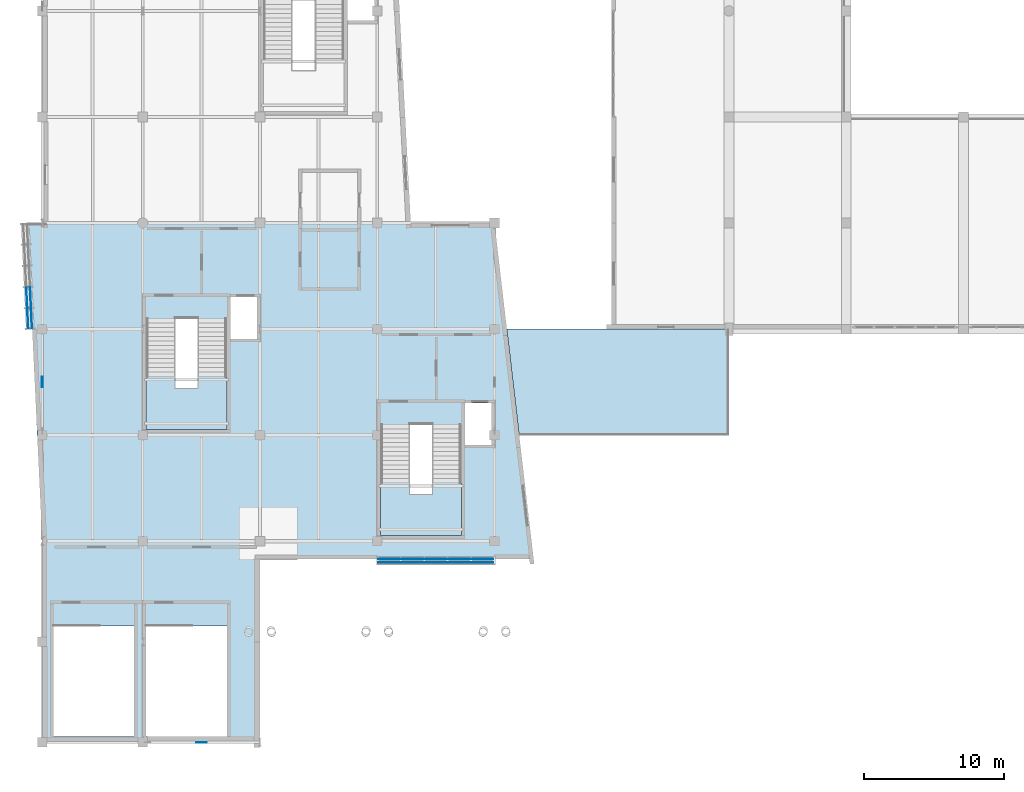
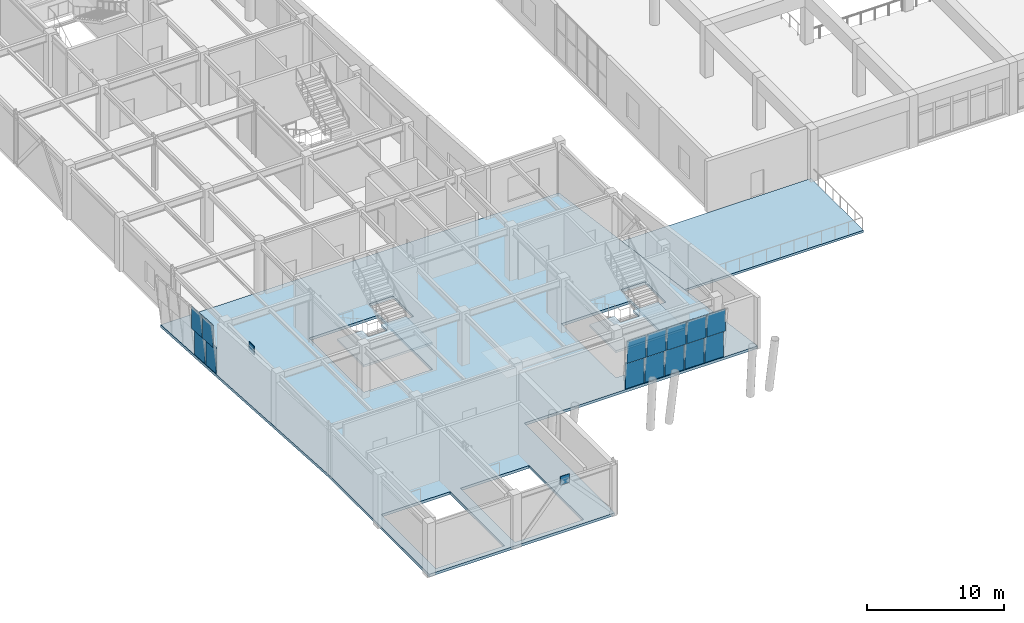
# One storey, part 50 of 72: 16 plates, 4 slabs, 4 elements without a shape of their own.
"""IFC4 building model written with IfcOpenShell, lengths in metres."""

from ifc_helpers import new_model, si_unit, direction, frame, origin, origin_2d, place, context, subcontext, project, spatial, polyline, rectangle, outline, extrude, material, layer, layer_set, type_object, element, aggregate, save


model = new_model("IFC4")

# Units and contexts
model_context = context("Model", 3, precision=1e-05, world=origin(), true_north=direction((0.0, 1.0)))
body_context = subcontext(model_context, "Body", "Model", "MODEL_VIEW")
ifc_project = project(units=[si_unit("LENGTHUNIT", "METRE"), si_unit("AREAUNIT", "SQUARE_METRE"), si_unit("VOLUMEUNIT", "CUBIC_METRE"), si_unit("PLANEANGLEUNIT", "RADIAN"), si_unit("MASSUNIT", "GRAM", prefix="KILO")], contexts=[model_context])

# Site, building, storey
site_placement = place(None, origin())
site = spatial("IfcSite", under=ifc_project, at=site_placement, CompositionType="ELEMENT")
building_placement = place(site_placement, origin())
building = spatial("IfcBuilding", under=site, at=building_placement, Name="Xicomal Pleat Aquarium", CompositionType="ELEMENT")
storey_placement = place(building_placement, frame((0.0, 0.0, 10.5)))
storey = spatial("IfcBuildingStorey", under=building, at=storey_placement, Name="L03", CompositionType="ELEMENT", Elevation=10.5)

# Curtain wall, plates
ifc_material_1 = material(Name="Bronze anodized aluminium 6063-T6", Category="aluminium")
ifc_layer_1 = layer(ifc_material_1, 0.159912109375)
ifc_layer_set_1 = layer_set([ifc_layer_1], Name="Bronze anodized aluminium 6063-T6")
curtain_wall_type_1 = type_object("IfcCurtainWallType", Name="CW-SYS-08", PredefinedType="NOTDEFINED", material=ifc_layer_set_1)
curtain_wall_1_placement = place(storey_placement, origin())
curtain_wall_1 = element("IfcCurtainWall", 1, at=curtain_wall_1_placement, inside=storey, type_object=curtain_wall_type_1, Name="L03 unitised curtain wall CW-L03-169", PredefinedType="NOTDEFINED")
ifc_material_2 = material(Name="Insulated low-E laminated glass", Category="glass")
ifc_layer_2 = layer(ifc_material_2, 0.031982421875)
ifc_layer_set_2 = layer_set([ifc_layer_2], Name="Insulated low-E laminated glass")
plate_type_1 = type_object("IfcPlateType", Name="CWP-GLZ-32", PredefinedType="CURTAIN_PANEL", material=ifc_layer_set_2)
plate_1_placement = place(storey_placement, frame((34.541259765625, 13.9404296875, 0.0751953125), z_axis=(0.0, 0.0, 1.0), x_axis=(-1.0, 0.0, 0.0)))
plate_1 = element("IfcPlate", 2, at=plate_1_placement, type_object=plate_type_1, Name="CW-08 panel 1.1", PredefinedType="CURTAIN_PANEL", context=body_context, shape_type="SweptSolid", body=[
    extrude(rectangle(XDim=1.5673828125, YDim=0.031982421875, at=origin_2d()), origin(), (0.0, 0.0, 1.0), 2.357421875),
])
plate_2_placement = place(storey_placement, frame((34.541259765625, 13.672119140625, 2.5078125), z_axis=(0.0, 0.0, 1.0), x_axis=(-1.0, 0.0, 0.0)))
plate_2 = element("IfcPlate", 3, at=plate_2_placement, type_object=plate_type_1, Name="CW-08 panel 1.2", PredefinedType="CURTAIN_PANEL", context=body_context, shape_type="SweptSolid", body=[
    extrude(rectangle(XDim=1.5673828125, YDim=0.031982421875, at=origin_2d()), origin(), (0.0, 0.0, 1.0), 1.992431640625),
])
plate_3_placement = place(storey_placement, frame((32.8798828125, 13.9404296875, 0.0751953125), z_axis=(0.0, 0.0, 1.0), x_axis=(-1.0, 0.0, 0.0)))
plate_3 = element("IfcPlate", 4, at=plate_3_placement, type_object=plate_type_1, Name="CW-08 panel 2.1", PredefinedType="CURTAIN_PANEL", context=body_context, shape_type="SweptSolid", body=[
    extrude(rectangle(XDim=1.60498046875, YDim=0.031982421875, at=origin_2d()), origin(), (0.0, 0.0, 1.0), 2.357421875),
])
plate_4_placement = place(storey_placement, frame((32.8798828125, 13.672119140625, 2.5078125), z_axis=(0.0, 0.0, 1.0), x_axis=(-1.0, 0.0, 0.0)))
plate_4 = element("IfcPlate", 5, at=plate_4_placement, type_object=plate_type_1, Name="CW-08 panel 2.2", PredefinedType="CURTAIN_PANEL", context=body_context, shape_type="SweptSolid", body=[
    extrude(rectangle(XDim=1.60498046875, YDim=0.031982421875, at=origin_2d()), origin(), (0.0, 0.0, 1.0), 1.992431640625),
])
plate_5_placement = place(storey_placement, frame((31.199951171875, 13.9404296875, 0.0751953125), z_axis=(0.0, 0.0, 1.0), x_axis=(-1.0, 0.0, 0.0)))
plate_5 = element("IfcPlate", 6, at=plate_5_placement, type_object=plate_type_1, Name="CW-08 panel 3.1", PredefinedType="CURTAIN_PANEL", context=body_context, shape_type="SweptSolid", body=[
    extrude(rectangle(XDim=1.60498046875, YDim=0.031982421875, at=origin_2d()), origin(), (0.0, 0.0, 1.0), 2.357421875),
])
plate_6_placement = place(storey_placement, frame((31.199951171875, 13.672119140625, 2.5078125), z_axis=(0.0, 0.0, 1.0), x_axis=(-1.0, 0.0, 0.0)))
plate_6 = element("IfcPlate", 7, at=plate_6_placement, type_object=plate_type_1, Name="CW-08 panel 3.2", PredefinedType="CURTAIN_PANEL", context=body_context, shape_type="SweptSolid", body=[
    extrude(rectangle(XDim=1.60498046875, YDim=0.031982421875, at=origin_2d()), origin(), (0.0, 0.0, 1.0), 1.992431640625),
])
plate_7_placement = place(storey_placement, frame((29.52001953125, 13.9404296875, 0.0751953125), z_axis=(0.0, 0.0, 1.0), x_axis=(-1.0, 0.0, 0.0)))
plate_7 = element("IfcPlate", 8, at=plate_7_placement, type_object=plate_type_1, Name="CW-08 panel 4.1", PredefinedType="CURTAIN_PANEL", context=body_context, shape_type="SweptSolid", body=[
    extrude(rectangle(XDim=1.60498046875, YDim=0.031982421875, at=origin_2d()), origin(), (0.0, 0.0, 1.0), 2.357421875),
])
plate_8_placement = place(storey_placement, frame((29.52001953125, 13.672119140625, 2.5078125), z_axis=(0.0, 0.0, 1.0), x_axis=(-1.0, 0.0, 0.0)))
plate_8 = element("IfcPlate", 9, at=plate_8_placement, type_object=plate_type_1, Name="CW-08 panel 4.2", PredefinedType="CURTAIN_PANEL", context=body_context, shape_type="SweptSolid", body=[
    extrude(rectangle(XDim=1.60498046875, YDim=0.031982421875, at=origin_2d()), origin(), (0.0, 0.0, 1.0), 1.992431640625),
])
plate_9_placement = place(storey_placement, frame((27.85888671875, 13.9404296875, 0.0751953125), z_axis=(0.0, 0.0, 1.0), x_axis=(-1.0, 0.0, 0.0)))
plate_9 = element("IfcPlate", 10, at=plate_9_placement, type_object=plate_type_1, Name="CW-08 panel 5.1", PredefinedType="CURTAIN_PANEL", context=body_context, shape_type="SweptSolid", body=[
    extrude(rectangle(XDim=1.5673828125, YDim=0.031982421875, at=origin_2d()), origin(), (0.0, 0.0, 1.0), 2.357421875),
])
plate_10_placement = place(storey_placement, frame((27.85888671875, 13.672119140625, 2.5078125), z_axis=(0.0, 0.0, 1.0), x_axis=(-1.0, 0.0, 0.0)))
plate_10 = element("IfcPlate", 11, at=plate_10_placement, type_object=plate_type_1, Name="CW-08 panel 5.2", PredefinedType="CURTAIN_PANEL", context=body_context, shape_type="SweptSolid", body=[
    extrude(rectangle(XDim=1.5673828125, YDim=0.031982421875, at=origin_2d()), origin(), (0.0, 0.0, 1.0), 1.992431640625),
])
aggregate(curtain_wall_1, [plate_1, plate_2, plate_3, plate_4, plate_5, plate_6, plate_7, plate_8, plate_9, plate_10])

ifc_material_3 = material(Name="Bronze anodized aluminium 6063-T6", Category="aluminium")
ifc_layer_3 = layer(ifc_material_3, 0.159912109375)
ifc_layer_set_3 = layer_set([ifc_layer_3], Name="Bronze anodized aluminium 6063-T6")
curtain_wall_type_2 = type_object("IfcCurtainWallType", Name="CW-SYS-03", PredefinedType="NOTDEFINED", material=ifc_layer_set_3)
curtain_wall_2_placement = place(storey_placement, origin())
curtain_wall_2 = element("IfcCurtainWall", 12, at=curtain_wall_2_placement, inside=storey, type_object=curtain_wall_type_2, Name="L03 unitised curtain wall CW-L03-170", PredefinedType="NOTDEFINED")
ifc_material_4 = material(Name="Insulated low-E laminated glass", Category="glass")
ifc_layer_4 = layer(ifc_material_4, 0.035888671875)
ifc_layer_set_4 = layer_set([ifc_layer_4], Name="Insulated low-E laminated glass")
plate_type_2 = type_object("IfcPlateType", Name="CWP-GLZ-36", PredefinedType="CURTAIN_PANEL", material=ifc_layer_set_4)
plate_11_placement = place(storey_placement, frame((2.2333984375, 31.18115234375, 0.0849609375), z_axis=(0.0, 0.0, 1.0), x_axis=(-0.047315368449, 0.998880000755, 0.0)))
plate_11 = element("IfcPlate", 13, at=plate_11_placement, type_object=plate_type_2, Name="CW-03 panel 1.1", PredefinedType="CURTAIN_PANEL", context=body_context, shape_type="SweptSolid", body=[
    extrude(rectangle(XDim=1.394287109375, YDim=0.035888671875, at=origin_2d()), origin(), (0.0, 0.0, 1.0), 2.342529296875),
])
plate_12_placement = place(storey_placement, frame((1.966064453125, 31.16845703125, 2.512451171875), z_axis=(0.0, 0.0, 1.0), x_axis=(-0.047315368449, 0.998880000755, 0.0)))
plate_12 = element("IfcPlate", 14, at=plate_12_placement, type_object=plate_type_2, Name="CW-03 panel 1.2", PredefinedType="CURTAIN_PANEL", context=body_context, shape_type="SweptSolid", body=[
    extrude(rectangle(XDim=1.394287109375, YDim=0.035888671875, at=origin_2d()), origin(), (0.0, 0.0, 1.0), 1.9775390625),
])
plate_13_placement = place(storey_placement, frame((2.162353515625, 32.679931640625, 0.0849609375), z_axis=(0.0, 0.0, 1.0), x_axis=(-0.047315368449, 0.998880000755, 0.0)))
plate_13 = element("IfcPlate", 15, at=plate_13_placement, type_object=plate_type_2, Name="CW-03 panel 2.1", PredefinedType="CURTAIN_PANEL", context=body_context, shape_type="SweptSolid", body=[
    extrude(rectangle(XDim=1.436767578125, YDim=0.035888671875, at=origin_2d()), origin(), (0.0, 0.0, 1.0), 2.342529296875),
])
plate_14_placement = place(storey_placement, frame((1.89501953125, 32.667236328125, 2.512451171875), z_axis=(0.0, 0.0, 1.0), x_axis=(-0.047315368449, 0.998880000755, 0.0)))
plate_14 = element("IfcPlate", 16, at=plate_14_placement, type_object=plate_type_2, Name="CW-03 panel 2.2", PredefinedType="CURTAIN_PANEL", context=body_context, shape_type="SweptSolid", body=[
    extrude(rectangle(XDim=1.436767578125, YDim=0.035888671875, at=origin_2d()), origin(), (0.0, 0.0, 1.0), 1.9775390625),
])
aggregate(curtain_wall_2, [plate_11, plate_12, plate_13, plate_14])

# Plates
ifc_material_5 = material(Name="Structural steel A992 Gr 50", Category="steel")
ifc_layer_5 = layer(ifc_material_5, 0.044921875)
ifc_layer_set_5 = layer_set([ifc_layer_5], Name="Structural steel A992 Gr 50")
plate_type_3 = type_object("IfcPlateType", Name="PLT-GUS-45", PredefinedType="USERDEFINED", material=ifc_layer_set_5)
for number, where, z_axis, x_axis, name in (
    (17, (3.0, 26.60009765625, 4.074951171875), (0.0, 0.0, 1.0), (0.0, 1.0, 0.0), "L03 chevron gusset node plate 4"),
    (18, (14.39990234375, 0.800048828125, 4.074951171875), (0.0, 0.0, 1.0), (1.0, 0.0, 0.0), "L03 chevron gusset node plate 34"),
):
    element("IfcPlate", number, at=place(storey_placement, frame(where, z_axis=z_axis, x_axis=x_axis)), inside=storey, type_object=plate_type_3, Name=name, ObjectType="GUSSET PLATE", PredefinedType="USERDEFINED", context=body_context, shape_type="SweptSolid", body=[
        extrude(rectangle(XDim=0.75, YDim=0.044921875, at=origin_2d()), origin(), (0.0, 0.0, 1.0), 0.75),
    ])

# Slab
ifc_material_6 = material(Name="Concrete C35/45", Category="concrete")
ifc_layer_6 = layer(ifc_material_6, 0.239990234375)
ifc_layer_set_6 = layer_set([ifc_layer_6], Name="Concrete C35/45")
slab_type_1 = type_object("IfcSlabType", Name="SLB-FLR-240", PredefinedType="FLOOR", material=ifc_layer_set_6)
slab_1_placement = place(storey_placement, frame((0.0, 0.0, -0.239990234375)))
element("IfcSlab", 19, at=slab_1_placement, inside=storey, type_object=slab_type_1, Name="L03 structural slab V6", PredefinedType="FLOOR", context=body_context, shape_type="SweptSolid", body=[
    extrude(outline(polyline([(3.0, 15.199951171875), (1.919921875, 38.0), (35.39990234375, 38.0), (38.199951171875, 13.949951171875), (18.60009765625, 13.949951171875), (18.60009765625, 0.800048828125), (3.0, 0.800048828125), (3.0, 15.199951171875)]), holes=[polyline([(10.43994140625, 23.199951171875), (16.219970703125, 23.199951171875), (16.219970703125, 31.1201171875), (10.43994140625, 31.1201171875), (10.43994140625, 23.199951171875)]), polyline([(16.360107421875, 29.699951171875), (18.39990234375, 29.699951171875), (18.39990234375, 32.699951171875), (16.360107421875, 32.699951171875), (16.360107421875, 29.699951171875)]), polyline([(27.239990234375, 15.60009765625), (33.02001953125, 15.60009765625), (33.02001953125, 23.52001953125), (27.239990234375, 23.52001953125), (27.239990234375, 15.60009765625)]), polyline([(33.159912109375, 22.10009765625), (35.199951171875, 22.10009765625), (35.199951171875, 25.10009765625), (33.159912109375, 25.10009765625), (33.159912109375, 22.10009765625)]), polyline([(10.43994140625, 1.199951171875), (16.219970703125, 1.199951171875), (16.219970703125, 9.1201171875), (10.43994140625, 9.1201171875), (10.43994140625, 1.199951171875)]), polyline([(3.800048828125, 1.199951171875), (9.580078125, 1.199951171875), (9.580078125, 9.1201171875), (3.800048828125, 9.1201171875), (3.800048828125, 1.199951171875)])]), origin(), (0.0, 0.0, 1.0), 0.239990234375),
])

# Stair, slab
ifc_material_7 = material(Name="Concrete C35/45", Category="concrete")
stair_type = type_object("IfcStairType", Name="STR-HT-4800-2400", PredefinedType="HALF_TURN_STAIR", material=ifc_material_7)
stair_1_placement = place(storey_placement, origin())
stair_1 = element("IfcStair", 20, at=stair_1_placement, inside=storey, type_object=stair_type, Name="ST-01 fire exit stair L03 to L04", PredefinedType="HALF_TURN_STAIR")
ifc_material_8 = material(Name="Concrete C35/45", Category="concrete")
ifc_layer_7 = layer(ifc_material_8, 0.195068359375)
ifc_layer_set_7 = layer_set([ifc_layer_7], Name="Concrete C35/45")
slab_type_2 = type_object("IfcSlabType", Name="SLB-LND-195", PredefinedType="LANDING", material=ifc_layer_set_7)
slab_2_placement = place(storey_placement, frame((0.0, 0.0, 2.205078125)))
slab_2 = element("IfcSlab", 21, at=slab_2_placement, type_object=slab_type_2, Name="ST-01 landing 1", PredefinedType="LANDING", context=body_context, shape_type="SweptSolid", body=[
    extrude(outline(polyline([(10.43994140625, 23.199951171875), (16.219970703125, 23.199951171875), (16.219970703125, 27.053955078125), (14.1201171875, 27.053955078125), (14.1201171875, 26.14404296875), (12.5400390625, 26.14404296875), (12.5400390625, 27.053955078125), (10.43994140625, 27.053955078125), (10.43994140625, 23.199951171875)])), origin(), (0.0, 0.0, 1.0), 0.19482421875),
])
aggregate(stair_1, [slab_2])

stair_2_placement = place(storey_placement, origin())
stair_2 = element("IfcStair", 22, at=stair_2_placement, inside=storey, type_object=stair_type, Name="ST-02 fire exit stair L03 to L04", PredefinedType="HALF_TURN_STAIR")
slab_3_placement = place(storey_placement, frame((0.0, 0.0, 2.205078125)))
slab_3 = element("IfcSlab", 23, at=slab_3_placement, type_object=slab_type_2, Name="ST-02 landing 1", PredefinedType="LANDING", context=body_context, shape_type="SweptSolid", body=[
    extrude(outline(polyline([(27.239990234375, 15.60009765625), (33.02001953125, 15.60009765625), (33.02001953125, 19.4541015625), (30.919921875, 19.4541015625), (30.919921875, 18.5439453125), (29.340087890625, 18.5439453125), (29.340087890625, 19.4541015625), (27.239990234375, 19.4541015625), (27.239990234375, 15.60009765625)])), origin(), (0.0, 0.0, 1.0), 0.19482421875),
])
aggregate(stair_2, [slab_3])

# Slab
ifc_material_9 = material(Name="Concrete C40/50", Category="concrete")
ifc_layer_8 = layer(ifc_material_9, 0.199951171875)
ifc_layer_set_8 = layer_set([ifc_layer_8], Name="Concrete C40/50")
slab_type_3 = type_object("IfcSlabType", Name="SLB-TER-200", PredefinedType="FLOOR", material=ifc_layer_set_8)
slab_4_placement = place(storey_placement, frame((0.0, 0.0, -0.199951171875)))
element("IfcSlab", 24, at=slab_4_placement, inside=storey, type_object=slab_type_3, Name="L03 outdoor planted court terrace TR-L03-C1", PredefinedType="FLOOR", context=body_context, shape_type="SweptSolid", body=[
    extrude(outline(polyline([(52.199951171875, 22.800048828125), (37.169921875, 22.800048828125), (36.284912109375, 30.39990234375), (43.800048828125, 30.39990234375), (52.199951171875, 30.39990234375), (52.199951171875, 22.800048828125)])), origin(), (0.0, 0.0, 1.0), 0.199951171875),
])

save(model, "model.ifc")
